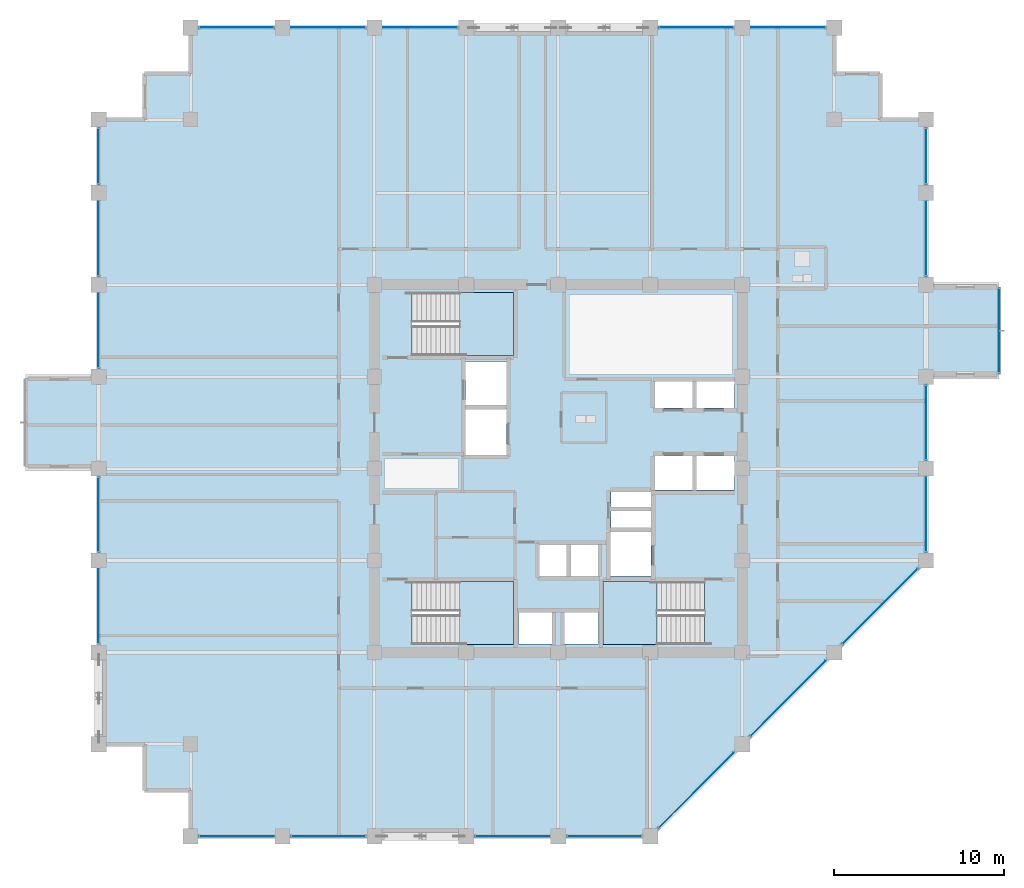
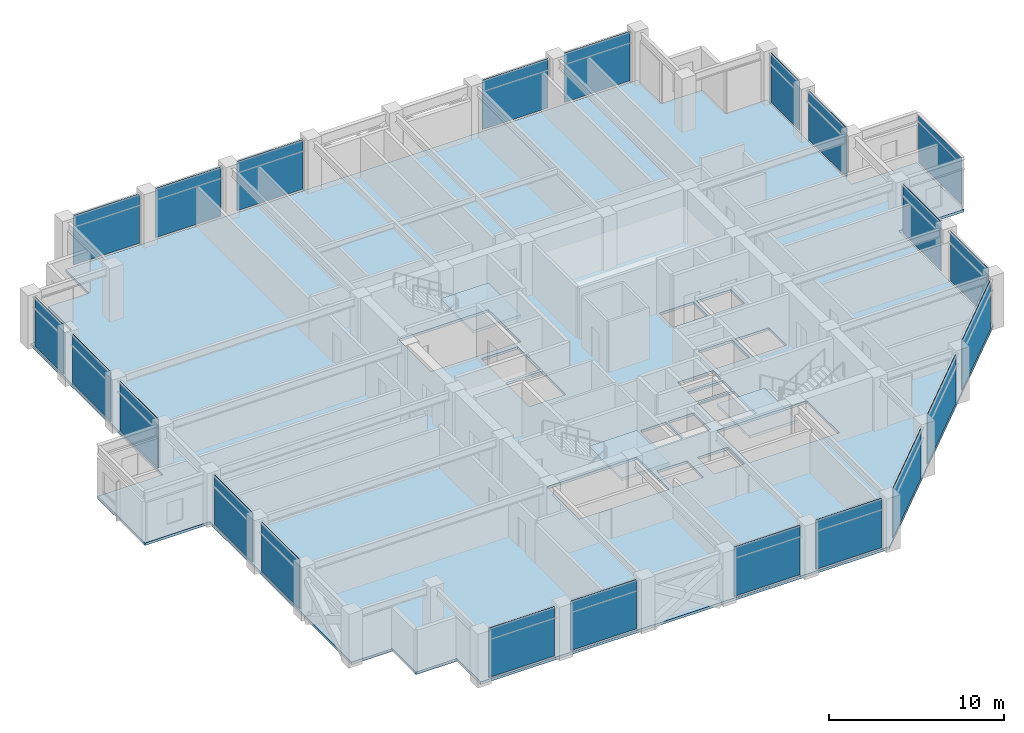
# One storey, part 21 of 28: 22 plates, 4 slabs, 13 elements without a shape of their own.
"""IFC4 building model written with IfcOpenShell, lengths in metres."""

from ifc_helpers import new_model, si_unit, direction, frame, frame_2d, origin, place, context, subcontext, project, spatial, polyline, rectangle, outline, extrude, material, layer, layer_set, type_object, element, aggregate, save


model = new_model("IFC4")

# Units and contexts
model_context = context("Model", 3, precision=1e-05, world=origin(), true_north=direction((0.0, 1.0)))
body_context = subcontext(model_context, "Body", "Model", "MODEL_VIEW")
ifc_project = project(units=[si_unit("LENGTHUNIT", "METRE"), si_unit("AREAUNIT", "SQUARE_METRE"), si_unit("VOLUMEUNIT", "CUBIC_METRE"), si_unit("PLANEANGLEUNIT", "RADIAN"), si_unit("MASSUNIT", "GRAM", prefix="KILO")], contexts=[model_context])

# Site, building, storey
site_placement = place(None, origin())
site = spatial("IfcSite", under=ifc_project, at=site_placement, CompositionType="ELEMENT")
building_placement = place(site_placement, origin())
building = spatial("IfcBuilding", under=site, at=building_placement, Name="Surkhivell Harbour Commons", CompositionType="ELEMENT")
storey_placement = place(building_placement, frame((0.0, 0.0, 178.5)))
storey = spatial("IfcBuildingStorey", under=building, at=storey_placement, Name="L46", CompositionType="ELEMENT", Elevation=178.5)

# Curtain wall, plate
ifc_material_1 = material(Name="Anodised pale-metal aluminium and insulated glazing", Category="aluminium")
ifc_layer_1 = layer(ifc_material_1, 0.1650390625)
ifc_layer_set_1 = layer_set([ifc_layer_1], Name="Anodised pale-metal aluminium and insulated glazing")
curtain_wall_type_1 = type_object("IfcCurtainWallType", Name="CW-SYS-BOX", PredefinedType="NOTDEFINED", material=ifc_layer_set_1)
curtain_wall_1_placement = place(storey_placement, origin())
curtain_wall_1 = element("IfcCurtainWall", 1, at=curtain_wall_1_placement, inside=storey, type_object=curtain_wall_type_1, Name="L46 Curtain Wall CW-L46-BOX01", PredefinedType="NOTDEFINED")
ifc_material_2 = material(Name="Triple-glazed bay-cluster vision glass", Category="glass")
ifc_layer_2 = layer(ifc_material_2, 0.028076171875)
ifc_layer_set_2 = layer_set([ifc_layer_2], Name="Triple-glazed bay-cluster vision glass")
plate_type_1 = type_object("IfcPlateType", Name="CWP-GLZ-28", PredefinedType="CURTAIN_PANEL", material=ifc_layer_set_2)
plate_1_placement = place(storey_placement, frame((25.89990234375, 5.6201171875, 0.1298828125), z_axis=(0.0, 0.0, 1.0), x_axis=(0.0, 1.0, 0.0)))
plate_1 = element("IfcPlate", 2, at=plate_1_placement, type_object=plate_type_1, Name="CW-BOX panel 1.1", PredefinedType="CURTAIN_PANEL", context=body_context, shape_type="SweptSolid", body=[
    extrude(rectangle(XDim=4.9599609375, YDim=0.028076171875, at=frame_2d((2.47998046875, 0.0))), origin(), (0.0, 0.0, 1.0), 3.31005859375),
])
aggregate(curtain_wall_1, [plate_1])

# Curtain wall, plates
ifc_layer_3 = layer(ifc_material_1, 0.18994140625)
ifc_layer_set_3 = layer_set([ifc_layer_3], Name="Anodised pale-metal aluminium and insulated glazing")
curtain_wall_type_2 = type_object("IfcCurtainWallType", Name="CW-SYS-Z3", PredefinedType="NOTDEFINED", material=ifc_layer_set_3)
curtain_wall_2_placement = place(storey_placement, origin())
curtain_wall_2 = element("IfcCurtainWall", 3, at=curtain_wall_2_placement, inside=storey, type_object=curtain_wall_type_2, Name="L46 Curtain Wall CW-L46-E00S1", PredefinedType="NOTDEFINED")
ifc_material_3 = material(Name="High-pressure typhoon laminated vision glass", Category="glass")
ifc_layer_4 = layer(ifc_material_3, 0.035888671875)
ifc_layer_set_4 = layer_set([ifc_layer_4], Name="High-pressure typhoon laminated vision glass")
plate_type_2 = type_object("IfcPlateType", Name="CWP-GLZ-36", PredefinedType="CURTAIN_PANEL", material=ifc_layer_set_4)
plate_2_placement = place(storey_placement, frame((-21.072998046875, -21.60009765625, 0.1298828125), z_axis=(0.0, 0.0, 1.0), x_axis=(1.0, 0.0, 0.0)))
plate_2 = element("IfcPlate", 4, at=plate_2_placement, type_object=plate_type_2, Name="CW-Z3 panel 1.1", PredefinedType="CURTAIN_PANEL", context=body_context, shape_type="SweptSolid", body=[
    extrude(rectangle(XDim=4.345947265625, YDim=0.035888671875, at=frame_2d((2.1728515625, 0.0))), origin(), (0.0, 0.0, 1.0), 3.440185546875),
])
plate_3_placement = place(storey_placement, frame((-15.673095703125, -21.60009765625, 0.1298828125), z_axis=(0.0, 0.0, 1.0), x_axis=(1.0, 0.0, 0.0)))
plate_3 = element("IfcPlate", 5, at=plate_3_placement, type_object=plate_type_2, Name="CW-Z3 panel 2.1", PredefinedType="CURTAIN_PANEL", context=body_context, shape_type="SweptSolid", body=[
    extrude(rectangle(XDim=4.34619140625, YDim=0.035888671875, at=frame_2d((2.173095703125, 0.0))), origin(), (0.0, 0.0, 1.0), 3.440185546875),
])
aggregate(curtain_wall_2, [plate_2, plate_3])

curtain_wall_3_placement = place(storey_placement, origin())
curtain_wall_3 = element("IfcCurtainWall", 6, at=curtain_wall_3_placement, inside=storey, type_object=curtain_wall_type_2, Name="L46 Curtain Wall CW-L46-E00S2", PredefinedType="NOTDEFINED")
plate_4_placement = place(storey_placement, frame((-4.873046875, -21.60009765625, 0.1298828125), z_axis=(0.0, 0.0, 1.0), x_axis=(1.0, 0.0, 0.0)))
plate_4 = element("IfcPlate", 7, at=plate_4_placement, type_object=plate_type_2, Name="CW-Z3 panel 1.1", PredefinedType="CURTAIN_PANEL", context=body_context, shape_type="SweptSolid", body=[
    extrude(rectangle(XDim=4.345947265625, YDim=0.035888671875, at=frame_2d((2.1728515625, 0.0))), origin(), (0.0, 0.0, 1.0), 3.440185546875),
])
plate_5_placement = place(storey_placement, frame((0.527099609375, -21.60009765625, 0.1298828125), z_axis=(0.0, 0.0, 1.0), x_axis=(1.0, 0.0, 0.0)))
plate_5 = element("IfcPlate", 8, at=plate_5_placement, type_object=plate_type_2, Name="CW-Z3 panel 2.1", PredefinedType="CURTAIN_PANEL", context=body_context, shape_type="SweptSolid", body=[
    extrude(rectangle(XDim=4.345947265625, YDim=0.035888671875, at=frame_2d((2.1728515625, 0.0))), origin(), (0.0, 0.0, 1.0), 3.440185546875),
])
aggregate(curtain_wall_3, [plate_4, plate_5])

curtain_wall_4_placement = place(storey_placement, origin())
curtain_wall_4 = element("IfcCurtainWall", 9, at=curtain_wall_4_placement, inside=storey, type_object=curtain_wall_type_2, Name="L46 Curtain Wall CW-L46-E01", PredefinedType="NOTDEFINED")
plate_6_placement = place(storey_placement, frame((5.90478515625, -21.09521484375, 0.1298828125), z_axis=(0.0, 0.0, 1.0), x_axis=(0.707106781187, 0.707106781187, 0.0)))
plate_6 = element("IfcPlate", 10, at=plate_6_placement, type_object=plate_type_2, Name="CW-Z3 panel 1.1", PredefinedType="CURTAIN_PANEL", context=body_context, shape_type="SweptSolid", body=[
    extrude(rectangle(XDim=6.209228515625, YDim=0.035888671875, at=frame_2d((3.1044921875, 0.0))), origin(), (0.0, 0.0, 1.0), 3.440185546875),
])
plate_7_placement = place(storey_placement, frame((11.3046875, -15.6953125, 0.1298828125), z_axis=(0.0, 0.0, 1.0), x_axis=(0.707106781187, 0.707106781187, 0.0)))
plate_7 = element("IfcPlate", 11, at=plate_7_placement, type_object=plate_type_2, Name="CW-Z3 panel 2.1", PredefinedType="CURTAIN_PANEL", context=body_context, shape_type="SweptSolid", body=[
    extrude(rectangle(XDim=6.209228515625, YDim=0.035888671875, at=frame_2d((3.1044921875, 0.0))), origin(), (0.0, 0.0, 1.0), 3.440185546875),
])
plate_8_placement = place(storey_placement, frame((16.70458984375, -10.29541015625, 0.1298828125), z_axis=(0.0, 0.0, 1.0), x_axis=(0.707106781187, 0.707106781187, 0.0)))
plate_8 = element("IfcPlate", 12, at=plate_8_placement, type_object=plate_type_2, Name="CW-Z3 panel 3.1", PredefinedType="CURTAIN_PANEL", context=body_context, shape_type="SweptSolid", body=[
    extrude(rectangle(XDim=6.209228515625, YDim=0.035888671875, at=frame_2d((3.1044921875, 0.0))), origin(), (0.0, 0.0, 1.0), 3.440185546875),
])
aggregate(curtain_wall_4, [plate_6, plate_7, plate_8])

curtain_wall_5_placement = place(storey_placement, origin())
curtain_wall_5 = element("IfcCurtainWall", 13, at=curtain_wall_5_placement, inside=storey, type_object=curtain_wall_type_2, Name="L46 Curtain Wall CW-L46-E02R1", PredefinedType="NOTDEFINED")
plate_9_placement = place(storey_placement, frame((21.60009765625, -4.873046875, 0.1298828125), z_axis=(0.0, 0.0, 1.0), x_axis=(0.0, 1.0, 0.0)))
plate_9 = element("IfcPlate", 14, at=plate_9_placement, type_object=plate_type_2, Name="CW-Z3 panel 1.1", PredefinedType="CURTAIN_PANEL", context=body_context, shape_type="SweptSolid", body=[
    extrude(rectangle(XDim=4.345947265625, YDim=0.035888671875, at=frame_2d((2.1728515625, 0.0))), origin(), (0.0, 0.0, 1.0), 3.440185546875),
])
plate_10_placement = place(storey_placement, frame((21.60009765625, 0.527099609375, 0.1298828125), z_axis=(0.0, 0.0, 1.0), x_axis=(0.0, 1.0, 0.0)))
plate_10 = element("IfcPlate", 15, at=plate_10_placement, type_object=plate_type_2, Name="CW-Z3 panel 2.1", PredefinedType="CURTAIN_PANEL", context=body_context, shape_type="SweptSolid", body=[
    extrude(rectangle(XDim=4.345947265625, YDim=0.035888671875, at=frame_2d((2.1728515625, 0.0))), origin(), (0.0, 0.0, 1.0), 3.440185546875),
])
aggregate(curtain_wall_5, [plate_9, plate_10])

curtain_wall_6_placement = place(storey_placement, origin())
curtain_wall_6 = element("IfcCurtainWall", 16, at=curtain_wall_6_placement, inside=storey, type_object=curtain_wall_type_2, Name="L46 Curtain Wall CW-L46-E02R2", PredefinedType="NOTDEFINED")
plate_11_placement = place(storey_placement, frame((21.60009765625, 11.326904296875, 0.1298828125), z_axis=(0.0, 0.0, 1.0), x_axis=(0.0, 1.0, 0.0)))
plate_11 = element("IfcPlate", 17, at=plate_11_placement, type_object=plate_type_2, Name="CW-Z3 panel 1.1", PredefinedType="CURTAIN_PANEL", context=body_context, shape_type="SweptSolid", body=[
    extrude(rectangle(XDim=4.34619140625, YDim=0.035888671875, at=frame_2d((2.173095703125, 0.0))), origin(), (0.0, 0.0, 1.0), 3.440185546875),
])
plate_12_placement = place(storey_placement, frame((21.60009765625, 16.72705078125, 0.1298828125), z_axis=(0.0, 0.0, 1.0), x_axis=(0.0, 1.0, 0.0)))
plate_12 = element("IfcPlate", 18, at=plate_12_placement, type_object=plate_type_2, Name="CW-Z3 panel 2.1", PredefinedType="CURTAIN_PANEL", context=body_context, shape_type="SweptSolid", body=[
    extrude(rectangle(XDim=3.245849609375, YDim=0.035888671875, at=frame_2d((1.623046875, 0.0))), origin(), (0.0, 0.0, 1.0), 3.440185546875),
])
aggregate(curtain_wall_6, [plate_11, plate_12])

curtain_wall_7_placement = place(storey_placement, origin())
curtain_wall_7 = element("IfcCurtainWall", 19, at=curtain_wall_7_placement, inside=storey, type_object=curtain_wall_type_2, Name="L46 Curtain Wall CW-L46-E07S1", PredefinedType="NOTDEFINED")
plate_13_placement = place(storey_placement, frame((15.673095703125, 25.89990234375, 0.1298828125), z_axis=(0.0, 0.0, 1.0), x_axis=(-1.0, 0.0, 0.0)))
plate_13 = element("IfcPlate", 20, at=plate_13_placement, type_object=plate_type_2, Name="CW-Z3 panel 1.1", PredefinedType="CURTAIN_PANEL", context=body_context, shape_type="SweptSolid", body=[
    extrude(rectangle(XDim=4.34619140625, YDim=0.035888671875, at=frame_2d((2.173095703125, 0.0))), origin(), (0.0, 0.0, 1.0), 3.440185546875),
])
plate_14_placement = place(storey_placement, frame((10.27294921875, 25.89990234375, 0.1298828125), z_axis=(0.0, 0.0, 1.0), x_axis=(-1.0, 0.0, 0.0)))
plate_14 = element("IfcPlate", 21, at=plate_14_placement, type_object=plate_type_2, Name="CW-Z3 panel 2.1", PredefinedType="CURTAIN_PANEL", context=body_context, shape_type="SweptSolid", body=[
    extrude(rectangle(XDim=4.345947265625, YDim=0.035888671875, at=frame_2d((2.1728515625, 0.0))), origin(), (0.0, 0.0, 1.0), 3.440185546875),
])
aggregate(curtain_wall_7, [plate_13, plate_14])

curtain_wall_8_placement = place(storey_placement, origin())
curtain_wall_8 = element("IfcCurtainWall", 22, at=curtain_wall_8_placement, inside=storey, type_object=curtain_wall_type_2, Name="L46 Curtain Wall CW-L46-E07S2", PredefinedType="NOTDEFINED")
plate_15_placement = place(storey_placement, frame((-5.927001953125, 25.89990234375, 0.1298828125), z_axis=(0.0, 0.0, 1.0), x_axis=(-1.0, 0.0, 0.0)))
plate_15 = element("IfcPlate", 23, at=plate_15_placement, type_object=plate_type_2, Name="CW-Z3 panel 1.1", PredefinedType="CURTAIN_PANEL", context=body_context, shape_type="SweptSolid", body=[
    extrude(rectangle(XDim=4.345947265625, YDim=0.035888671875, at=frame_2d((2.1728515625, 0.0))), origin(), (0.0, 0.0, 1.0), 3.440185546875),
])
plate_16_placement = place(storey_placement, frame((-11.326904296875, 25.89990234375, 0.1298828125), z_axis=(0.0, 0.0, 1.0), x_axis=(-1.0, 0.0, 0.0)))
plate_16 = element("IfcPlate", 24, at=plate_16_placement, type_object=plate_type_2, Name="CW-Z3 panel 2.1", PredefinedType="CURTAIN_PANEL", context=body_context, shape_type="SweptSolid", body=[
    extrude(rectangle(XDim=4.34619140625, YDim=0.035888671875, at=frame_2d((2.173095703125, 0.0))), origin(), (0.0, 0.0, 1.0), 3.440185546875),
])
plate_17_placement = place(storey_placement, frame((-16.72705078125, 25.89990234375, 0.1298828125), z_axis=(0.0, 0.0, 1.0), x_axis=(-1.0, 0.0, 0.0)))
plate_17 = element("IfcPlate", 25, at=plate_17_placement, type_object=plate_type_2, Name="CW-Z3 panel 3.1", PredefinedType="CURTAIN_PANEL", context=body_context, shape_type="SweptSolid", body=[
    extrude(rectangle(XDim=4.345947265625, YDim=0.035888671875, at=frame_2d((2.1728515625, 0.0))), origin(), (0.0, 0.0, 1.0), 3.440185546875),
])
aggregate(curtain_wall_8, [plate_15, plate_16, plate_17])

curtain_wall_9_placement = place(storey_placement, origin())
curtain_wall_9 = element("IfcCurtainWall", 26, at=curtain_wall_9_placement, inside=storey, type_object=curtain_wall_type_2, Name="L46 Curtain Wall CW-L46-E12R1S1", PredefinedType="NOTDEFINED")
plate_18_placement = place(storey_placement, frame((-27.0, -10.27294921875, 0.1298828125), z_axis=(0.0, 0.0, 1.0), x_axis=(0.0, 1.0, 0.0)))
plate_18 = element("IfcPlate", 27, at=plate_18_placement, type_object=plate_type_2, Name="CW-Z3 panel 1.1", PredefinedType="CURTAIN_PANEL", context=body_context, shape_type="SweptSolid", body=[
    extrude(rectangle(XDim=4.345947265625, YDim=0.035888671875, at=frame_2d((2.1728515625, 0.0))), origin(), (0.0, 0.0, 1.0), 3.440185546875),
])
plate_19_placement = place(storey_placement, frame((-27.0, -4.873046875, 0.1298828125), z_axis=(0.0, 0.0, 1.0), x_axis=(0.0, 1.0, 0.0)))
plate_19 = element("IfcPlate", 28, at=plate_19_placement, type_object=plate_type_2, Name="CW-Z3 panel 2.1", PredefinedType="CURTAIN_PANEL", context=body_context, shape_type="SweptSolid", body=[
    extrude(rectangle(XDim=4.345947265625, YDim=0.035888671875, at=frame_2d((2.1728515625, 0.0))), origin(), (0.0, 0.0, 1.0), 3.440185546875),
])
aggregate(curtain_wall_9, [plate_18, plate_19])

curtain_wall_10_placement = place(storey_placement, origin())
curtain_wall_10 = element("IfcCurtainWall", 29, at=curtain_wall_10_placement, inside=storey, type_object=curtain_wall_type_2, Name="L46 Curtain Wall CW-L46-E12R2", PredefinedType="NOTDEFINED")
plate_20_placement = place(storey_placement, frame((-27.0, 5.927001953125, 0.1298828125), z_axis=(0.0, 0.0, 1.0), x_axis=(0.0, 1.0, 0.0)))
plate_20 = element("IfcPlate", 30, at=plate_20_placement, type_object=plate_type_2, Name="CW-Z3 panel 1.1", PredefinedType="CURTAIN_PANEL", context=body_context, shape_type="SweptSolid", body=[
    extrude(rectangle(XDim=4.345947265625, YDim=0.035888671875, at=frame_2d((2.1728515625, 0.0))), origin(), (0.0, 0.0, 1.0), 3.440185546875),
])
plate_21_placement = place(storey_placement, frame((-27.0, 11.326904296875, 0.1298828125), z_axis=(0.0, 0.0, 1.0), x_axis=(0.0, 1.0, 0.0)))
plate_21 = element("IfcPlate", 31, at=plate_21_placement, type_object=plate_type_2, Name="CW-Z3 panel 2.1", PredefinedType="CURTAIN_PANEL", context=body_context, shape_type="SweptSolid", body=[
    extrude(rectangle(XDim=4.34619140625, YDim=0.035888671875, at=frame_2d((2.173095703125, 0.0))), origin(), (0.0, 0.0, 1.0), 3.440185546875),
])
plate_22_placement = place(storey_placement, frame((-27.0, 16.72705078125, 0.1298828125), z_axis=(0.0, 0.0, 1.0), x_axis=(0.0, 1.0, 0.0)))
plate_22 = element("IfcPlate", 32, at=plate_22_placement, type_object=plate_type_2, Name="CW-Z3 panel 3.1", PredefinedType="CURTAIN_PANEL", context=body_context, shape_type="SweptSolid", body=[
    extrude(rectangle(XDim=3.245849609375, YDim=0.035888671875, at=frame_2d((1.623046875, 0.0))), origin(), (0.0, 0.0, 1.0), 3.440185546875),
])
aggregate(curtain_wall_10, [plate_20, plate_21, plate_22])

# Stair, slab
ifc_material_4 = material(Name="Precast concrete C45/55", Category="concrete")
stair_type = type_object("IfcStairType", Name="STR-DL-375", PredefinedType="HALF_TURN_STAIR", material=ifc_material_4)
stair_1_placement = place(storey_placement, origin())
stair_1 = element("IfcStair", 33, at=stair_1_placement, inside=storey, type_object=stair_type, Name="L46 Core Exit Stair ST1", PredefinedType="HALF_TURN_STAIR")
ifc_material_5 = material(Name="Reinforced concrete C45/55", Category="concrete")
ifc_layer_5 = layer(ifc_material_5, 0.199951171875)
ifc_layer_set_5 = layer_set([ifc_layer_5], Name="Reinforced concrete C45/55")
slab_type_1 = type_object("IfcSlabType", Name="SLB-ST-LND200", PredefinedType="LANDING", material=ifc_layer_set_5)
slab_1_placement = place(storey_placement, frame((0.0, 0.0, 1.675048828125)))
slab_1 = element("IfcSlab", 34, at=slab_1_placement, type_object=slab_type_1, Name="ST1 landing 1", PredefinedType="LANDING", context=body_context, shape_type="SweptSolid", body=[
    extrude(outline(polyline([(-5.7900390625, 6.639892578125), (-2.639892578125, 6.639892578125), (-2.639892578125, 10.340087890625), (-5.7900390625, 10.340087890625), (-5.7900390625, 6.639892578125)])), origin(), (0.0, 0.0, 1.0), 0.199951171875),
])
aggregate(stair_1, [slab_1])

stair_2_placement = place(storey_placement, origin())
stair_2 = element("IfcStair", 35, at=stair_2_placement, inside=storey, type_object=stair_type, Name="L46 Core Exit Stair ST2", PredefinedType="HALF_TURN_STAIR")
slab_2_placement = place(storey_placement, frame((0.0, 0.0, 1.675048828125)))
slab_2 = element("IfcSlab", 36, at=slab_2_placement, type_object=slab_type_1, Name="ST2 landing 1", PredefinedType="LANDING", context=body_context, shape_type="SweptSolid", body=[
    extrude(outline(polyline([(5.7900390625, -6.639892578125), (2.639892578125, -6.639892578125), (2.639892578125, -10.340087890625), (5.7900390625, -10.340087890625), (5.7900390625, -6.639892578125)])), origin(), (0.0, 0.0, 1.0), 0.199951171875),
])
aggregate(stair_2, [slab_2])

stair_3_placement = place(storey_placement, origin())
stair_3 = element("IfcStair", 37, at=stair_3_placement, inside=storey, type_object=stair_type, Name="L46 Core Exit Stair ST3", PredefinedType="HALF_TURN_STAIR")
slab_3_placement = place(storey_placement, frame((0.0, 0.0, 1.675048828125)))
slab_3 = element("IfcSlab", 38, at=slab_3_placement, type_object=slab_type_1, Name="ST3 landing 1", PredefinedType="LANDING", context=body_context, shape_type="SweptSolid", body=[
    extrude(outline(polyline([(-5.7900390625, -10.340087890625), (-2.639892578125, -10.340087890625), (-2.639892578125, -6.639892578125), (-5.7900390625, -6.639892578125), (-5.7900390625, -10.340087890625)])), origin(), (0.0, 0.0, 1.0), 0.199951171875),
])
aggregate(stair_3, [slab_3])

# Slab
ifc_material_6 = material(Name="Concrete C45/55", Category="concrete")
ifc_layer_6 = layer(ifc_material_6, 0.179931640625)
ifc_layer_set_6 = layer_set([ifc_layer_6], Name="Concrete C45/55")
slab_type_2 = type_object("IfcSlabType", Name="SLB-TYP-180", PredefinedType="FLOOR", material=ifc_layer_set_6)
slab_4_placement = place(storey_placement, frame((0.0, 0.0, -0.179931640625)))
element("IfcSlab", 39, at=slab_4_placement, inside=storey, type_object=slab_type_2, Name="L46 Structural Floor Slab", PredefinedType="FLOOR", context=body_context, shape_type="SweptSolid", body=[
    extrude(outline(polyline([(-27.0, 20.5), (-27.0, 5.39990234375), (-31.300048828125, 5.39990234375), (-31.300048828125, 0.0), (-27.0, 0.0), (-27.0, -16.199951171875), (-24.300048828125, -16.199951171875), (-24.300048828125, -18.89990234375), (-21.60009765625, -18.89990234375), (-21.60009765625, -21.60009765625), (5.39990234375, -21.60009765625), (21.60009765625, -5.39990234375), (21.60009765625, 5.39990234375), (25.89990234375, 5.39990234375), (25.89990234375, 10.800048828125), (21.60009765625, 10.800048828125), (21.60009765625, 20.5), (18.89990234375, 20.5), (18.89990234375, 23.199951171875), (16.199951171875, 23.199951171875), (16.199951171875, 25.89990234375), (-21.60009765625, 25.89990234375), (-21.60009765625, 23.199951171875), (-24.300048828125, 23.199951171875), (-24.300048828125, 20.5), (-27.0, 20.5)]), holes=[polyline([(-8.590087890625, 6.639892578125), (-2.639892578125, 6.639892578125), (-2.639892578125, 10.340087890625), (-8.590087890625, 10.340087890625), (-8.590087890625, 6.639892578125)]), polyline([(8.590087890625, -6.639892578125), (2.639892578125, -6.639892578125), (2.639892578125, -10.340087890625), (8.590087890625, -10.340087890625), (8.590087890625, -6.639892578125)]), polyline([(-8.590087890625, -10.340087890625), (-2.639892578125, -10.340087890625), (-2.639892578125, -6.639892578125), (-8.590087890625, -6.639892578125), (-8.590087890625, -10.340087890625)]), polyline([(5.64990234375, 3.550048828125), (7.89990234375, 3.550048828125), (7.89990234375, 5.14990234375), (5.64990234375, 5.14990234375), (5.64990234375, 3.550048828125)]), polyline([(8.10009765625, 3.550048828125), (10.35009765625, 3.550048828125), (10.35009765625, 5.14990234375), (8.10009765625, 5.14990234375), (8.10009765625, 3.550048828125)]), polyline([(5.64990234375, -1.25), (7.89990234375, -1.25), (7.89990234375, 0.75), (5.64990234375, 0.75), (5.64990234375, -1.25)]), polyline([(8.10009765625, -1.25), (10.35009765625, -1.25), (10.35009765625, 0.75), (8.10009765625, 0.75), (8.10009765625, -1.25)]), polyline([(-1.14990234375, -6.35009765625), (0.550048828125, -6.35009765625), (0.550048828125, -4.449951171875), (-1.14990234375, -4.449951171875), (-1.14990234375, -6.35009765625)]), polyline([(0.679931640625, -6.35009765625), (2.3798828125, -6.35009765625), (2.3798828125, -4.449951171875), (0.679931640625, -4.449951171875), (0.679931640625, -6.35009765625)]), polyline([(-2.35009765625, -10.300048828125), (-0.35009765625, -10.300048828125), (-0.35009765625, -8.39990234375), (-2.35009765625, -8.39990234375), (-2.35009765625, -10.300048828125)]), polyline([(0.35009765625, -10.300048828125), (2.35009765625, -10.300048828125), (2.35009765625, -8.39990234375), (0.35009765625, -8.39990234375), (0.35009765625, -10.300048828125)]), polyline([(-5.449951171875, 3.699951171875), (-3.050048828125, 3.699951171875), (-3.050048828125, 6.300048828125), (-5.449951171875, 6.300048828125), (-5.449951171875, 3.699951171875)]), polyline([(3.050048828125, -6.300048828125), (5.449951171875, -6.300048828125), (5.449951171875, -3.699951171875), (3.050048828125, -3.699951171875), (3.050048828125, -6.300048828125)]), polyline([(-5.449951171875, 0.800048828125), (-3.050048828125, 0.800048828125), (-3.050048828125, 3.5), (-5.449951171875, 3.5), (-5.449951171875, 0.800048828125)]), polyline([(3.10009765625, -3.550048828125), (5.449951171875, -3.550048828125), (5.449951171875, -2.47998046875), (3.10009765625, -2.47998046875), (3.10009765625, -3.550048828125)]), polyline([(3.10009765625, -2.280029296875), (5.449951171875, -2.280029296875), (5.449951171875, -1.35009765625), (3.10009765625, -1.35009765625), (3.10009765625, -2.280029296875)])]), origin(), (0.0, 0.0, 1.0), 0.179931640625),
])

save(model, "model.ifc")
